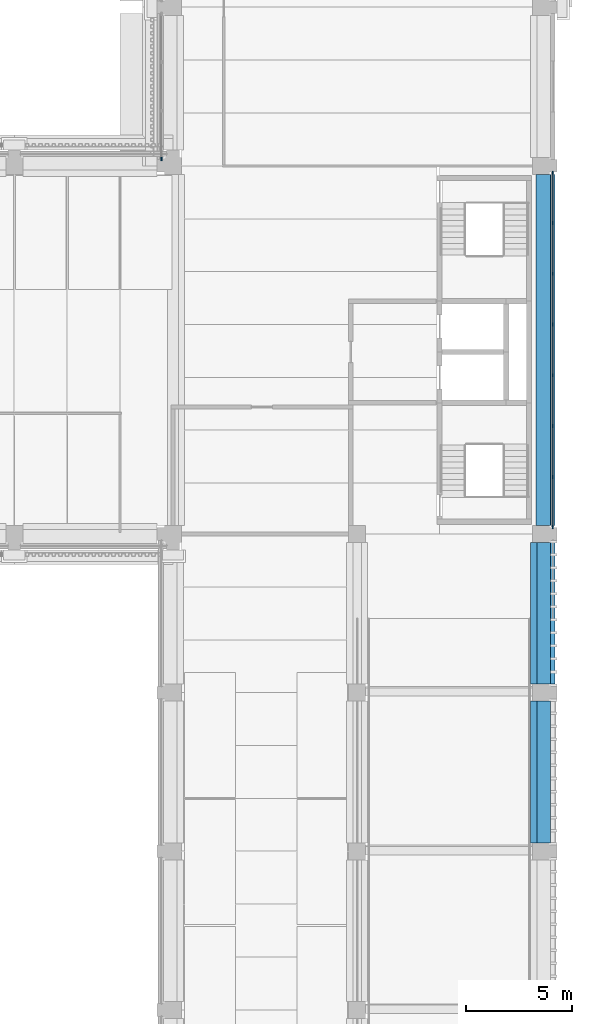
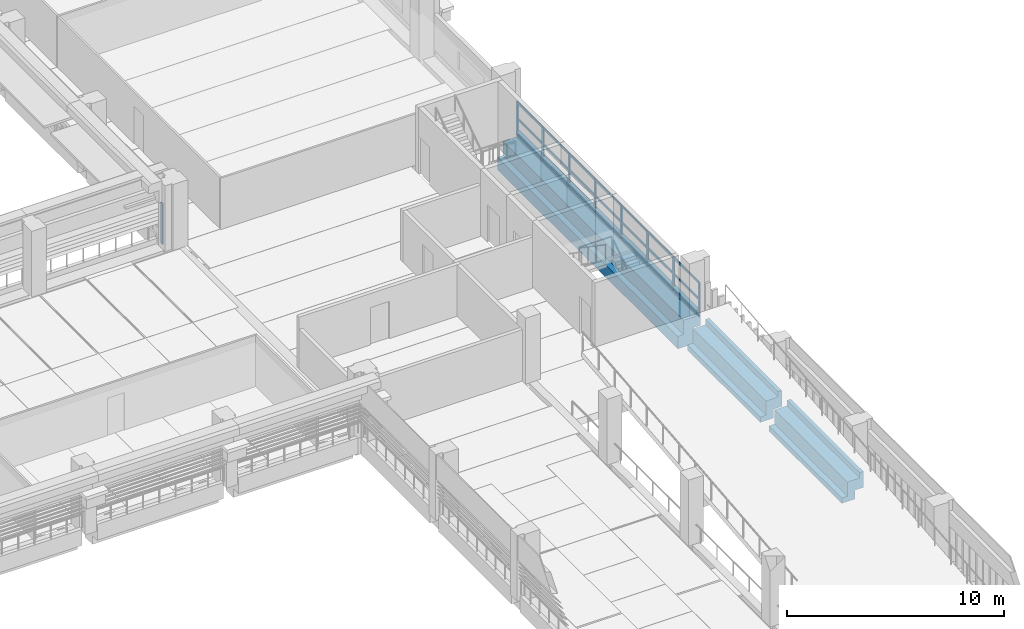
# One storey, part 17 of 71: 30 members, 3 beams, 2 elements without a shape of their own.
"""IFC4 building model written with IfcOpenShell, lengths in metres."""

from ifc_helpers import new_model, si_unit, direction, frame, origin, origin_2d, place, context, subcontext, project, spatial, polyline, rectangle, outline, extrude, material, layer, layer_set, material_profile, profile_set, type_object, element, aggregate, save


model = new_model("IFC4")

# Units and contexts
model_context = context("Model", 3, precision=1e-05, world=origin(), true_north=direction((0.0, 1.0)))
body_context = subcontext(model_context, "Body", "Model", "MODEL_VIEW")
ifc_project = project(units=[si_unit("LENGTHUNIT", "METRE"), si_unit("AREAUNIT", "SQUARE_METRE"), si_unit("VOLUMEUNIT", "CUBIC_METRE"), si_unit("PLANEANGLEUNIT", "RADIAN"), si_unit("MASSUNIT", "GRAM", prefix="KILO")], contexts=[model_context])

# Site, building, storey
site_placement = place(None, origin())
site = spatial("IfcSite", under=ifc_project, at=site_placement, CompositionType="ELEMENT")
building_placement = place(site_placement, origin())
building = spatial("IfcBuilding", under=site, at=building_placement, Name="Cour d'Honneur Mobility Palace", CompositionType="ELEMENT")
storey_placement = place(building_placement, frame((0.0, 0.0, 15.60009765625)))
storey = spatial("IfcBuildingStorey", under=building, at=storey_placement, Name="L04", CompositionType="ELEMENT", Elevation=15.60009765625)

# Curtain wall, member
ifc_material_1 = material(Name="Aluminium and glass", Category="aluminium")
ifc_layer = layer(ifc_material_1, 0.10009765625)
ifc_layer_set = layer_set([ifc_layer], Name="Aluminium and glass")
curtain_wall_type = type_object("IfcCurtainWallType", Name="Curtain wall run", PredefinedType="NOTDEFINED", material=ifc_layer_set)
curtain_wall_1_placement = place(storey_placement, origin())
curtain_wall_1 = element("IfcCurtainWall", 1, at=curtain_wall_1_placement, inside=storey, type_object=curtain_wall_type, Name="Curtain wall CW-71", PredefinedType="NOTDEFINED")
ifc_material_2 = material(Name="Aluminium", Category="aluminium")
ifc_material_profile_1 = material_profile(ifc_material_2, rectangle(XDim=0.06005859375, YDim=0.159912109375, at=origin_2d()), Name="Curtain wall mullion")
ifc_profile_set_1 = profile_set([ifc_material_profile_1], Name="Aluminium")
member_type_1 = type_object("IfcMemberType", Name="Curtain wall mullion", PredefinedType="MULLION", material=ifc_profile_set_1)
member_1_placement = place(storey_placement, frame((144.35009765625, 62.72998046875, 0.0), z_axis=(0.0, 0.0, 1.0), x_axis=(1.0, 0.0, 0.0)))
member_1 = element("IfcMember", 2, at=member_1_placement, type_object=member_type_1, Name="CW-71 mullion 4", PredefinedType="MULLION", context=body_context, shape_type="SweptSolid", body=[
    extrude(rectangle(XDim=0.06005859375, YDim=0.159912109375, at=origin_2d()), origin(), (0.0, 0.0, 1.0), 2.2998046875),
])
aggregate(curtain_wall_1, [member_1])

# Curtain wall, members
curtain_wall_2_placement = place(storey_placement, origin())
curtain_wall_2 = element("IfcCurtainWall", 3, at=curtain_wall_2_placement, inside=storey, type_object=curtain_wall_type, Name="Curtain wall CW-90", PredefinedType="NOTDEFINED")
member_2_placement = place(storey_placement, frame((162.85009765625, 45.330078125, 0.0), z_axis=(0.0, 0.0, 1.0), x_axis=(-1.0, 0.0, 0.0)))
member_2 = element("IfcMember", 4, at=member_2_placement, type_object=member_type_1, Name="CW-90 mullion 1", PredefinedType="MULLION", context=body_context, shape_type="SweptSolid", body=[
    extrude(rectangle(XDim=0.06005859375, YDim=0.159912109375, at=origin_2d()), origin(), (0.0, 0.0, 1.0), 1.89990234375),
])
member_3_placement = place(storey_placement, frame((162.85009765625, 47.699951171875, 0.0), z_axis=(0.0, 0.0, 1.0), x_axis=(-1.0, 0.0, 0.0)))
member_3 = element("IfcMember", 5, at=member_3_placement, type_object=member_type_1, Name="CW-90 mullion 2", PredefinedType="MULLION", context=body_context, shape_type="SweptSolid", body=[
    extrude(rectangle(XDim=0.06005859375, YDim=0.159912109375, at=origin_2d()), origin(), (0.0, 0.0, 1.0), 1.89990234375),
])
member_4_placement = place(storey_placement, frame((162.85009765625, 50.10009765625, 0.0), z_axis=(0.0, 0.0, 1.0), x_axis=(-1.0, 0.0, 0.0)))
member_4 = element("IfcMember", 6, at=member_4_placement, type_object=member_type_1, Name="CW-90 mullion 3", PredefinedType="MULLION", context=body_context, shape_type="SweptSolid", body=[
    extrude(rectangle(XDim=0.06005859375, YDim=0.159912109375, at=origin_2d()), origin(), (0.0, 0.0, 1.0), 1.89990234375),
])
member_5_placement = place(storey_placement, frame((162.85009765625, 52.5, 0.0), z_axis=(0.0, 0.0, 1.0), x_axis=(-1.0, 0.0, 0.0)))
member_5 = element("IfcMember", 7, at=member_5_placement, type_object=member_type_1, Name="CW-90 mullion 4", PredefinedType="MULLION", context=body_context, shape_type="SweptSolid", body=[
    extrude(rectangle(XDim=0.06005859375, YDim=0.159912109375, at=origin_2d()), origin(), (0.0, 0.0, 1.0), 1.89990234375),
])
member_6_placement = place(storey_placement, frame((162.85009765625, 54.89990234375, 0.0), z_axis=(0.0, 0.0, 1.0), x_axis=(-1.0, 0.0, 0.0)))
member_6 = element("IfcMember", 8, at=member_6_placement, type_object=member_type_1, Name="CW-90 mullion 5", PredefinedType="MULLION", context=body_context, shape_type="SweptSolid", body=[
    extrude(rectangle(XDim=0.06005859375, YDim=0.159912109375, at=origin_2d()), origin(), (0.0, 0.0, 1.0), 1.89990234375),
])
member_7_placement = place(storey_placement, frame((162.85009765625, 57.300048828125, 0.0), z_axis=(0.0, 0.0, 1.0), x_axis=(-1.0, 0.0, 0.0)))
member_7 = element("IfcMember", 9, at=member_7_placement, type_object=member_type_1, Name="CW-90 mullion 6", PredefinedType="MULLION", context=body_context, shape_type="SweptSolid", body=[
    extrude(rectangle(XDim=0.06005859375, YDim=0.159912109375, at=origin_2d()), origin(), (0.0, 0.0, 1.0), 1.89990234375),
])
member_8_placement = place(storey_placement, frame((162.85009765625, 59.699951171875, 0.0), z_axis=(0.0, 0.0, 1.0), x_axis=(-1.0, 0.0, 0.0)))
member_8 = element("IfcMember", 10, at=member_8_placement, type_object=member_type_1, Name="CW-90 mullion 7", PredefinedType="MULLION", context=body_context, shape_type="SweptSolid", body=[
    extrude(rectangle(XDim=0.06005859375, YDim=0.159912109375, at=origin_2d()), origin(), (0.0, 0.0, 1.0), 1.89990234375),
])
member_9_placement = place(storey_placement, frame((162.85009765625, 62.070068359375, 0.0), z_axis=(0.0, 0.0, 1.0), x_axis=(-1.0, 0.0, 0.0)))
member_9 = element("IfcMember", 11, at=member_9_placement, type_object=member_type_1, Name="CW-90 mullion 8", PredefinedType="MULLION", context=body_context, shape_type="SweptSolid", body=[
    extrude(rectangle(XDim=0.06005859375, YDim=0.159912109375, at=origin_2d()), origin(), (0.0, 0.0, 1.0), 1.89990234375),
])
ifc_material_3 = material(Name="Aluminium", Category="aluminium")
ifc_material_profile_2 = material_profile(ifc_material_3, rectangle(XDim=0.06005859375, YDim=0.1201171875, at=origin_2d()), Name="Curtain wall transom")
ifc_profile_set_2 = profile_set([ifc_material_profile_2], Name="Aluminium")
member_type_2 = type_object("IfcMemberType", Name="Curtain wall transom", PredefinedType="USERDEFINED", material=ifc_profile_set_2)
member_10_placement = place(storey_placement, frame((162.85009765625, 45.360107421875, 0.02978515625), z_axis=(0.0, 1.0, 0.0), x_axis=(-1.0, 0.0, 0.0)))
member_10 = element("IfcMember", 12, at=member_10_placement, type_object=member_type_2, Name="CW-90 transom 1.1", ObjectType="TRANSOM", PredefinedType="USERDEFINED", context=body_context, shape_type="SweptSolid", body=[
    extrude(rectangle(XDim=0.06005859375, YDim=0.1201171875, at=origin_2d()), origin(), (0.0, 0.0, 1.0), 2.309814453125),
])
member_11_placement = place(storey_placement, frame((162.85009765625, 45.360107421875, 0.949951171875), z_axis=(0.0, 1.0, 0.0), x_axis=(-1.0, 0.0, 0.0)))
member_11 = element("IfcMember", 13, at=member_11_placement, type_object=member_type_2, Name="CW-90 transom 1.2", ObjectType="TRANSOM", PredefinedType="USERDEFINED", context=body_context, shape_type="SweptSolid", body=[
    extrude(rectangle(XDim=0.06005859375, YDim=0.1201171875, at=origin_2d()), origin(), (0.0, 0.0, 1.0), 2.309814453125),
])
member_12_placement = place(storey_placement, frame((162.85009765625, 45.360107421875, 1.869873046875), z_axis=(0.0, 1.0, 0.0), x_axis=(-1.0, 0.0, 0.0)))
member_12 = element("IfcMember", 14, at=member_12_placement, type_object=member_type_2, Name="CW-90 transom 1.3", ObjectType="TRANSOM", PredefinedType="USERDEFINED", context=body_context, shape_type="SweptSolid", body=[
    extrude(rectangle(XDim=0.06005859375, YDim=0.1201171875, at=origin_2d()), origin(), (0.0, 0.0, 1.0), 2.309814453125),
])
member_13_placement = place(storey_placement, frame((162.85009765625, 47.72998046875, 0.02978515625), z_axis=(0.0, 1.0, 0.0), x_axis=(-1.0, 0.0, 0.0)))
member_13 = element("IfcMember", 15, at=member_13_placement, type_object=member_type_2, Name="CW-90 transom 2.1", ObjectType="TRANSOM", PredefinedType="USERDEFINED", context=body_context, shape_type="SweptSolid", body=[
    extrude(rectangle(XDim=0.06005859375, YDim=0.1201171875, at=origin_2d()), origin(), (0.0, 0.0, 1.0), 2.340087890625),
])
member_14_placement = place(storey_placement, frame((162.85009765625, 47.72998046875, 0.949951171875), z_axis=(0.0, 1.0, 0.0), x_axis=(-1.0, 0.0, 0.0)))
member_14 = element("IfcMember", 16, at=member_14_placement, type_object=member_type_2, Name="CW-90 transom 2.2", ObjectType="TRANSOM", PredefinedType="USERDEFINED", context=body_context, shape_type="SweptSolid", body=[
    extrude(rectangle(XDim=0.06005859375, YDim=0.1201171875, at=origin_2d()), origin(), (0.0, 0.0, 1.0), 2.340087890625),
])
member_15_placement = place(storey_placement, frame((162.85009765625, 47.72998046875, 1.869873046875), z_axis=(0.0, 1.0, 0.0), x_axis=(-1.0, 0.0, 0.0)))
member_15 = element("IfcMember", 17, at=member_15_placement, type_object=member_type_2, Name="CW-90 transom 2.3", ObjectType="TRANSOM", PredefinedType="USERDEFINED", context=body_context, shape_type="SweptSolid", body=[
    extrude(rectangle(XDim=0.06005859375, YDim=0.1201171875, at=origin_2d()), origin(), (0.0, 0.0, 1.0), 2.340087890625),
])
member_16_placement = place(storey_placement, frame((162.85009765625, 50.1298828125, 0.02978515625), z_axis=(0.0, 1.0, 0.0), x_axis=(-1.0, 0.0, 0.0)))
member_16 = element("IfcMember", 18, at=member_16_placement, type_object=member_type_2, Name="CW-90 transom 3.1", ObjectType="TRANSOM", PredefinedType="USERDEFINED", context=body_context, shape_type="SweptSolid", body=[
    extrude(rectangle(XDim=0.06005859375, YDim=0.1201171875, at=origin_2d()), origin(), (0.0, 0.0, 1.0), 2.340087890625),
])
member_17_placement = place(storey_placement, frame((162.85009765625, 50.1298828125, 0.949951171875), z_axis=(0.0, 1.0, 0.0), x_axis=(-1.0, 0.0, 0.0)))
member_17 = element("IfcMember", 19, at=member_17_placement, type_object=member_type_2, Name="CW-90 transom 3.2", ObjectType="TRANSOM", PredefinedType="USERDEFINED", context=body_context, shape_type="SweptSolid", body=[
    extrude(rectangle(XDim=0.06005859375, YDim=0.1201171875, at=origin_2d()), origin(), (0.0, 0.0, 1.0), 2.340087890625),
])
member_18_placement = place(storey_placement, frame((162.85009765625, 50.1298828125, 1.869873046875), z_axis=(0.0, 1.0, 0.0), x_axis=(-1.0, 0.0, 0.0)))
member_18 = element("IfcMember", 20, at=member_18_placement, type_object=member_type_2, Name="CW-90 transom 3.3", ObjectType="TRANSOM", PredefinedType="USERDEFINED", context=body_context, shape_type="SweptSolid", body=[
    extrude(rectangle(XDim=0.06005859375, YDim=0.1201171875, at=origin_2d()), origin(), (0.0, 0.0, 1.0), 2.340087890625),
])
member_19_placement = place(storey_placement, frame((162.85009765625, 52.530029296875, 0.02978515625), z_axis=(0.0, 1.0, 0.0), x_axis=(-1.0, 0.0, 0.0)))
member_19 = element("IfcMember", 21, at=member_19_placement, type_object=member_type_2, Name="CW-90 transom 4.1", ObjectType="TRANSOM", PredefinedType="USERDEFINED", context=body_context, shape_type="SweptSolid", body=[
    extrude(rectangle(XDim=0.06005859375, YDim=0.1201171875, at=origin_2d()), origin(), (0.0, 0.0, 1.0), 2.340087890625),
])
member_20_placement = place(storey_placement, frame((162.85009765625, 52.530029296875, 0.949951171875), z_axis=(0.0, 1.0, 0.0), x_axis=(-1.0, 0.0, 0.0)))
member_20 = element("IfcMember", 22, at=member_20_placement, type_object=member_type_2, Name="CW-90 transom 4.2", ObjectType="TRANSOM", PredefinedType="USERDEFINED", context=body_context, shape_type="SweptSolid", body=[
    extrude(rectangle(XDim=0.06005859375, YDim=0.1201171875, at=origin_2d()), origin(), (0.0, 0.0, 1.0), 2.340087890625),
])
member_21_placement = place(storey_placement, frame((162.85009765625, 52.530029296875, 1.869873046875), z_axis=(0.0, 1.0, 0.0), x_axis=(-1.0, 0.0, 0.0)))
member_21 = element("IfcMember", 23, at=member_21_placement, type_object=member_type_2, Name="CW-90 transom 4.3", ObjectType="TRANSOM", PredefinedType="USERDEFINED", context=body_context, shape_type="SweptSolid", body=[
    extrude(rectangle(XDim=0.06005859375, YDim=0.1201171875, at=origin_2d()), origin(), (0.0, 0.0, 1.0), 2.340087890625),
])
member_22_placement = place(storey_placement, frame((162.85009765625, 54.929931640625, 0.02978515625), z_axis=(0.0, 1.0, 0.0), x_axis=(-1.0, 0.0, 0.0)))
member_22 = element("IfcMember", 24, at=member_22_placement, type_object=member_type_2, Name="CW-90 transom 5.1", ObjectType="TRANSOM", PredefinedType="USERDEFINED", context=body_context, shape_type="SweptSolid", body=[
    extrude(rectangle(XDim=0.06005859375, YDim=0.1201171875, at=origin_2d()), origin(), (0.0, 0.0, 1.0), 2.340087890625),
])
member_23_placement = place(storey_placement, frame((162.85009765625, 54.929931640625, 0.949951171875), z_axis=(0.0, 1.0, 0.0), x_axis=(-1.0, 0.0, 0.0)))
member_23 = element("IfcMember", 25, at=member_23_placement, type_object=member_type_2, Name="CW-90 transom 5.2", ObjectType="TRANSOM", PredefinedType="USERDEFINED", context=body_context, shape_type="SweptSolid", body=[
    extrude(rectangle(XDim=0.06005859375, YDim=0.1201171875, at=origin_2d()), origin(), (0.0, 0.0, 1.0), 2.340087890625),
])
member_24_placement = place(storey_placement, frame((162.85009765625, 54.929931640625, 1.869873046875), z_axis=(0.0, 1.0, 0.0), x_axis=(-1.0, 0.0, 0.0)))
member_24 = element("IfcMember", 26, at=member_24_placement, type_object=member_type_2, Name="CW-90 transom 5.3", ObjectType="TRANSOM", PredefinedType="USERDEFINED", context=body_context, shape_type="SweptSolid", body=[
    extrude(rectangle(XDim=0.06005859375, YDim=0.1201171875, at=origin_2d()), origin(), (0.0, 0.0, 1.0), 2.340087890625),
])
member_25_placement = place(storey_placement, frame((162.85009765625, 57.330078125, 0.02978515625), z_axis=(0.0, 1.0, 0.0), x_axis=(-1.0, 0.0, 0.0)))
member_25 = element("IfcMember", 27, at=member_25_placement, type_object=member_type_2, Name="CW-90 transom 6.1", ObjectType="TRANSOM", PredefinedType="USERDEFINED", context=body_context, shape_type="SweptSolid", body=[
    extrude(rectangle(XDim=0.06005859375, YDim=0.1201171875, at=origin_2d()), origin(), (0.0, 0.0, 1.0), 2.33984375),
])
member_26_placement = place(storey_placement, frame((162.85009765625, 57.330078125, 0.949951171875), z_axis=(0.0, 1.0, 0.0), x_axis=(-1.0, 0.0, 0.0)))
member_26 = element("IfcMember", 28, at=member_26_placement, type_object=member_type_2, Name="CW-90 transom 6.2", ObjectType="TRANSOM", PredefinedType="USERDEFINED", context=body_context, shape_type="SweptSolid", body=[
    extrude(rectangle(XDim=0.06005859375, YDim=0.1201171875, at=origin_2d()), origin(), (0.0, 0.0, 1.0), 2.33984375),
])
member_27_placement = place(storey_placement, frame((162.85009765625, 57.330078125, 1.869873046875), z_axis=(0.0, 1.0, 0.0), x_axis=(-1.0, 0.0, 0.0)))
member_27 = element("IfcMember", 29, at=member_27_placement, type_object=member_type_2, Name="CW-90 transom 6.3", ObjectType="TRANSOM", PredefinedType="USERDEFINED", context=body_context, shape_type="SweptSolid", body=[
    extrude(rectangle(XDim=0.06005859375, YDim=0.1201171875, at=origin_2d()), origin(), (0.0, 0.0, 1.0), 2.33984375),
])
member_28_placement = place(storey_placement, frame((162.85009765625, 59.72998046875, 0.02978515625), z_axis=(0.0, 1.0, 0.0), x_axis=(-1.0, 0.0, 0.0)))
member_28 = element("IfcMember", 30, at=member_28_placement, type_object=member_type_2, Name="CW-90 transom 7.1", ObjectType="TRANSOM", PredefinedType="USERDEFINED", context=body_context, shape_type="SweptSolid", body=[
    extrude(rectangle(XDim=0.06005859375, YDim=0.1201171875, at=origin_2d()), origin(), (0.0, 0.0, 1.0), 2.31005859375),
])
member_29_placement = place(storey_placement, frame((162.85009765625, 59.72998046875, 0.949951171875), z_axis=(0.0, 1.0, 0.0), x_axis=(-1.0, 0.0, 0.0)))
member_29 = element("IfcMember", 31, at=member_29_placement, type_object=member_type_2, Name="CW-90 transom 7.2", ObjectType="TRANSOM", PredefinedType="USERDEFINED", context=body_context, shape_type="SweptSolid", body=[
    extrude(rectangle(XDim=0.06005859375, YDim=0.1201171875, at=origin_2d()), origin(), (0.0, 0.0, 1.0), 2.31005859375),
])
member_30_placement = place(storey_placement, frame((162.85009765625, 59.72998046875, 1.869873046875), z_axis=(0.0, 1.0, 0.0), x_axis=(-1.0, 0.0, 0.0)))
member_30 = element("IfcMember", 32, at=member_30_placement, type_object=member_type_2, Name="CW-90 transom 7.3", ObjectType="TRANSOM", PredefinedType="USERDEFINED", context=body_context, shape_type="SweptSolid", body=[
    extrude(rectangle(XDim=0.06005859375, YDim=0.1201171875, at=origin_2d()), origin(), (0.0, 0.0, 1.0), 2.31005859375),
])
aggregate(curtain_wall_2, [member_2, member_3, member_4, member_5, member_6, member_7, member_8, member_9, member_10, member_11, member_12, member_13, member_14, member_15, member_16, member_17, member_18, member_19, member_20, member_21, member_22, member_23, member_24, member_25, member_26, member_27, member_28, member_29, member_30])

# Beams
ifc_material_4 = material(Name="Concrete C45", Category="concrete")
ifc_material_profile_3 = material_profile(ifc_material_4, outline(polyline([(0.5, -1.10009765625), (0.5, -0.800048828125), (0.199951171875, -0.800048828125), (0.199951171875, 0.0), (-0.199951171875, 0.0), (-0.449951171875, 0.0), (-0.449951171875, 0.300048828125), (-0.64990234375, 0.300048828125), (-0.64990234375, -0.60009765625), (-0.199951171875, -0.60009765625), (-0.199951171875, -1.10009765625), (0.5, -1.10009765625)])), Name="Ledger Beam 400x1100 ledge left 300 facade right")
ifc_profile_set_3 = profile_set([ifc_material_profile_3], Name="Concrete C45")
beam_type_1 = type_object("IfcBeamType", Name="Ledger Beam 400x1100 ledge left 300 facade right", PredefinedType="BEAM", material=ifc_profile_set_3)
for number, where, z_axis, x_axis, name in (
    (33, (162.300048828125, 30.39990234375, 0.0), (0.0, 1.0, 0.0), (-1.0, 0.0, 0.0), "Precast beam B3 E-F L04"),
    (34, (162.300048828125, 37.89990234375, 0.0), (0.0, 1.0, 0.0), (-1.0, 0.0, 0.0), "Precast beam B3 F-G L04"),
):
    element("IfcBeam", number, at=place(storey_placement, frame(where, z_axis=z_axis, x_axis=x_axis)), inside=storey, type_object=beam_type_1, Name=name, PredefinedType="BEAM", context=body_context, shape_type="SweptSolid", body=[
        extrude(outline(polyline([(0.5, -1.10009765625), (0.5, -0.800048828125), (0.199951171875, -0.800048828125), (0.199951171875, 0.0), (-0.199951171875, 0.0), (-0.449951171875, 0.0), (-0.449951171875, 0.300048828125), (-0.64990234375, 0.300048828125), (-0.64990234375, -0.60009765625), (-0.199951171875, -0.60009765625), (-0.199951171875, -1.10009765625), (0.5, -1.10009765625)])), origin(), (0.0, 0.0, 1.0), 6.7001953125),
    ])
ifc_material_5 = material(Name="Concrete C45", Category="concrete")
ifc_material_profile_4 = material_profile(ifc_material_5, outline(polyline([(0.550048828125, -1.5), (0.550048828125, -0.800048828125), (0.25, -0.800048828125), (0.25, 0.0), (-0.25, 0.0), (-0.449951171875, 0.0), (-0.449951171875, 0.300048828125), (-0.64990234375, 0.300048828125), (-0.64990234375, -0.60009765625), (-0.25, -0.60009765625), (-0.25, -1.5), (0.550048828125, -1.5)])), Name="Ledger Beam 500x1500 ledge left 700 facade right")
ifc_profile_set_4 = profile_set([ifc_material_profile_4], Name="Concrete C45")
beam_type_2 = type_object("IfcBeamType", Name="Ledger Beam 500x1500 ledge left 700 facade right", PredefinedType="BEAM", material=ifc_profile_set_4)
beam_placement = place(storey_placement, frame((162.300048828125, 45.39990234375, 0.0), z_axis=(0.0, 1.0, 0.0), x_axis=(-1.0, 0.0, 0.0)))
element("IfcBeam", 35, at=beam_placement, inside=storey, type_object=beam_type_2, Name="Precast beam B21 G-H L04", PredefinedType="BEAM", context=body_context, shape_type="SweptSolid", body=[
    extrude(outline(polyline([(0.550048828125, -1.5), (0.550048828125, -0.800048828125), (0.25, -0.800048828125), (0.25, 0.0), (-0.25, 0.0), (-0.449951171875, 0.0), (-0.449951171875, 0.300048828125), (-0.64990234375, 0.300048828125), (-0.64990234375, -0.60009765625), (-0.25, -0.60009765625), (-0.25, -1.5), (0.550048828125, -1.5)])), origin(), (0.0, 0.0, 1.0), 16.60009765625),
])

save(model, "model.ifc")
